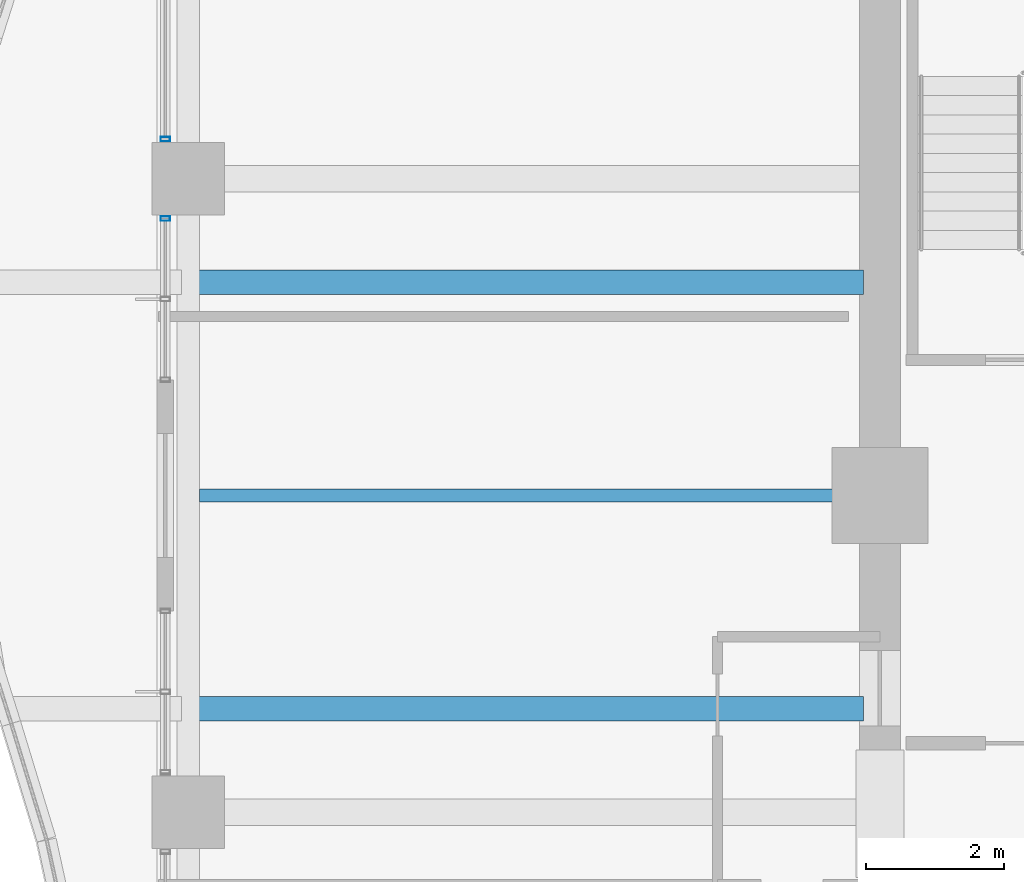
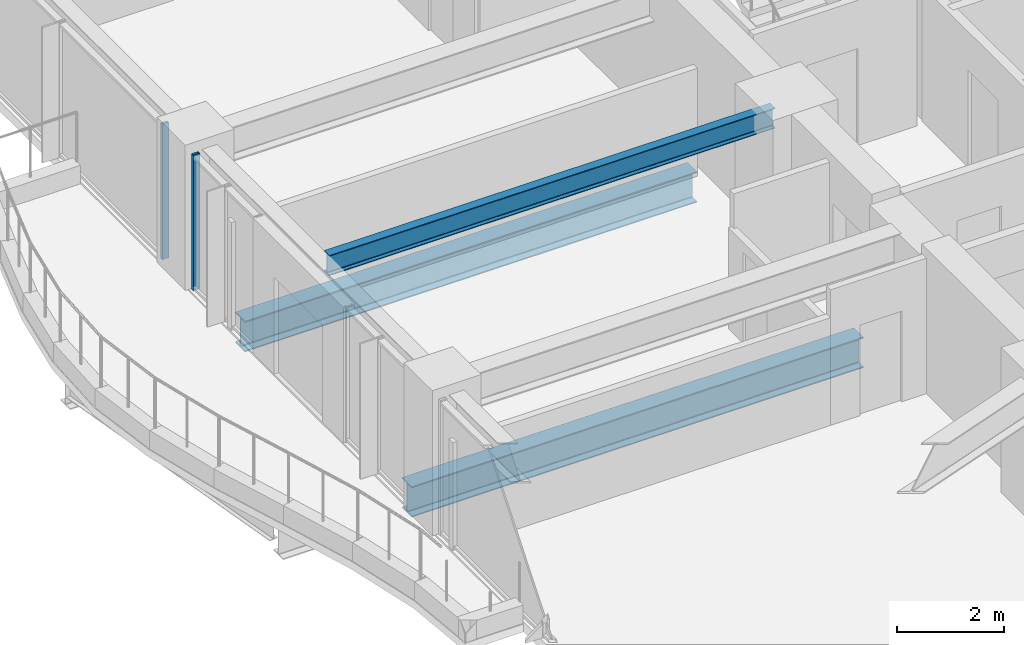
# One storey, part 9 of 36: 3 beams, 2 members, 2 elements without a shape of their own.
"""IFC4 building model written with IfcOpenShell, lengths in metres."""

from ifc_helpers import new_model, si_unit, direction, frame, origin, origin_2d, place, context, subcontext, project, spatial, hollow_rectangle, i_section, extrude, material, material_profile, profile_set, type_object, element, aggregate, save


model = new_model("IFC4")

# Units and contexts
model_context = context("Model", 3, precision=1e-05, world=origin(), true_north=direction((0.0, 1.0)))
body_context = subcontext(model_context, "Body", "Model", "MODEL_VIEW")
ifc_project = project(units=[si_unit("LENGTHUNIT", "METRE"), si_unit("AREAUNIT", "SQUARE_METRE"), si_unit("VOLUMEUNIT", "CUBIC_METRE"), si_unit("PLANEANGLEUNIT", "RADIAN"), si_unit("MASSUNIT", "GRAM", prefix="KILO")], contexts=[model_context])

# Site, building, storey
site_placement = place(None, origin())
site = spatial("IfcSite", under=ifc_project, at=site_placement, CompositionType="ELEMENT")
building_placement = place(site_placement, origin())
building = spatial("IfcBuilding", under=site, at=building_placement, Name="Kolvaren Belvedere", CompositionType="ELEMENT")
storey_placement = place(building_placement, frame((0.0, 0.0, 92.0)))
storey = spatial("IfcBuildingStorey", under=building, at=storey_placement, Name="L26", CompositionType="ELEMENT", Elevation=92.0)

# Beams
ifc_material_1 = material(Name="Structural steel ASTM A992 Grade 50", Category="steel")
ifc_material_profile_1 = material_profile(ifc_material_1, i_section(OverallWidth=0.35498046875, OverallDepth=0.696044921875, WebThickness=0.015380859375, FlangeThickness=0.02490234375, FilletRadius=0.02197265625, at=origin_2d()), Name="W27X146")
ifc_profile_set_1 = profile_set([ifc_material_profile_1], Name="Structural steel ASTM A992 Grade 50")
beam_type_1 = type_object("IfcBeamType", Name="BM-GIRD-W27X146", PredefinedType="BEAM", material=ifc_profile_set_1)
for number, where, z_axis, x_axis, name in (
    (1, (-10.139892578125, -3.10009765625, -0.568115234375), (-1.0, 0.0, 0.0), (0.0, -1.0, 0.0), "L26 Balcony Interior Back-Span Girder BAL-W-1"),
    (2, (-10.139892578125, 3.10009765625, -0.568115234375), (-1.0, 0.0, 0.0), (0.0, -1.0, 0.0), "L26 Balcony Interior Back-Span Girder BAL-W-2"),
):
    element("IfcBeam", number, at=place(storey_placement, frame(where, z_axis=z_axis, x_axis=x_axis)), inside=storey, type_object=beam_type_1, Name=name, PredefinedType="BEAM", context=body_context, shape_type="SweptSolid", body=[
        extrude(i_section(OverallWidth=0.35498046875, OverallDepth=0.696044921875, WebThickness=0.015380859375, FlangeThickness=0.02490234375, FilletRadius=0.02197265625, at=origin_2d()), origin(), (0.0, 0.0, 1.0), 9.715087890625),
    ])
ifc_material_2 = material(Name="Structural steel ASTM A992 Grade 50", Category="steel")
ifc_material_profile_2 = material_profile(ifc_material_2, i_section(OverallWidth=0.19091796875, OverallDepth=0.4599609375, WebThickness=0.010009765625, FlangeThickness=0.01611328125, FilletRadius=0.014892578125, at=origin_2d()), Name="W18X55")
ifc_profile_set_2 = profile_set([ifc_material_profile_2], Name="Structural steel ASTM A992 Grade 50")
beam_type_2 = type_object("IfcBeamType", Name="BM-JOIST-W18X55", PredefinedType="BEAM", material=ifc_profile_set_2)
beam_placement = place(storey_placement, frame((-10.199951171875, 0.0, 2.85009765625), z_axis=(-1.0, 0.0, 0.0), x_axis=(0.0, -1.0, 0.0)))
element("IfcBeam", 3, at=beam_placement, inside=storey, type_object=beam_type_2, Name="L26 West Centre Floor Beam", PredefinedType="BEAM", context=body_context, shape_type="SweptSolid", body=[
    extrude(i_section(OverallWidth=0.19091796875, OverallDepth=0.4599609375, WebThickness=0.010009765625, FlangeThickness=0.01611328125, FilletRadius=0.014892578125, at=origin_2d()), origin(), (0.0, 0.0, 1.0), 9.587646484375),
])

# Curtain wall, member
ifc_material_3 = material(Name="Anodised pale-metal aluminium AA 6063-T6", Category="aluminium")
curtain_wall_type = type_object("IfcCurtainWallType", Name="CW-Z2-MID", PredefinedType="NOTDEFINED", material=ifc_material_3)
curtain_wall_1_placement = place(storey_placement, origin())
curtain_wall_1 = element("IfcCurtainWall", 4, at=curtain_wall_1_placement, inside=storey, type_object=curtain_wall_type, Name="L26 Unitised Curtain Wall FCW-L26-W2-B1", PredefinedType="NOTDEFINED")
ifc_material_4 = material(Name="Anodised pale-metal aluminium AA 6063-T6", Category="aluminium")
ifc_material_profile_3 = material_profile(ifc_material_4, hollow_rectangle(XDim=0.06494140625, YDim=0.139892578125, WallThickness=0.00390625, at=origin_2d()), Name="ALU-MUL-140X65")
ifc_profile_set_3 = profile_set([ifc_material_profile_3], Name="Anodised pale-metal aluminium AA 6063-T6")
member_type = type_object("IfcMemberType", Name="CW-MUL-140", PredefinedType="MULLION", material=ifc_profile_set_3)
member_1_placement = place(storey_placement, frame((-20.280029296875, 4.0224609375, 0.0), z_axis=(0.0, 0.0, 1.0), x_axis=(0.0, 1.0, 0.0)))
member_1 = element("IfcMember", 5, at=member_1_placement, type_object=member_type, Name="FCW-L26-W2-B1 Unitised Mullion 3", PredefinedType="MULLION", context=body_context, shape_type="SweptSolid", body=[
    extrude(hollow_rectangle(XDim=0.06494140625, YDim=0.139892578125, WallThickness=0.00390625, at=origin_2d()), origin(), (0.0, 0.0, 1.0), 3.080078125),
])
aggregate(curtain_wall_1, [member_1])

curtain_wall_2_placement = place(storey_placement, origin())
curtain_wall_2 = element("IfcCurtainWall", 6, at=curtain_wall_2_placement, inside=storey, type_object=curtain_wall_type, Name="L26 Unitised Curtain Wall FCW-L26-W2-B2", PredefinedType="NOTDEFINED")
member_2_placement = place(storey_placement, frame((-20.280029296875, 5.177490234375, 0.0), z_axis=(0.0, 0.0, 1.0), x_axis=(0.0, 1.0, 0.0)))
member_2 = element("IfcMember", 7, at=member_2_placement, type_object=member_type, Name="FCW-L26-W2-B2 Unitised Mullion 1", PredefinedType="MULLION", context=body_context, shape_type="SweptSolid", body=[
    extrude(hollow_rectangle(XDim=0.06494140625, YDim=0.139892578125, WallThickness=0.00390625, at=origin_2d()), origin(), (0.0, 0.0, 1.0), 3.080078125),
])
aggregate(curtain_wall_2, [member_2])

save(model, "model.ifc")
